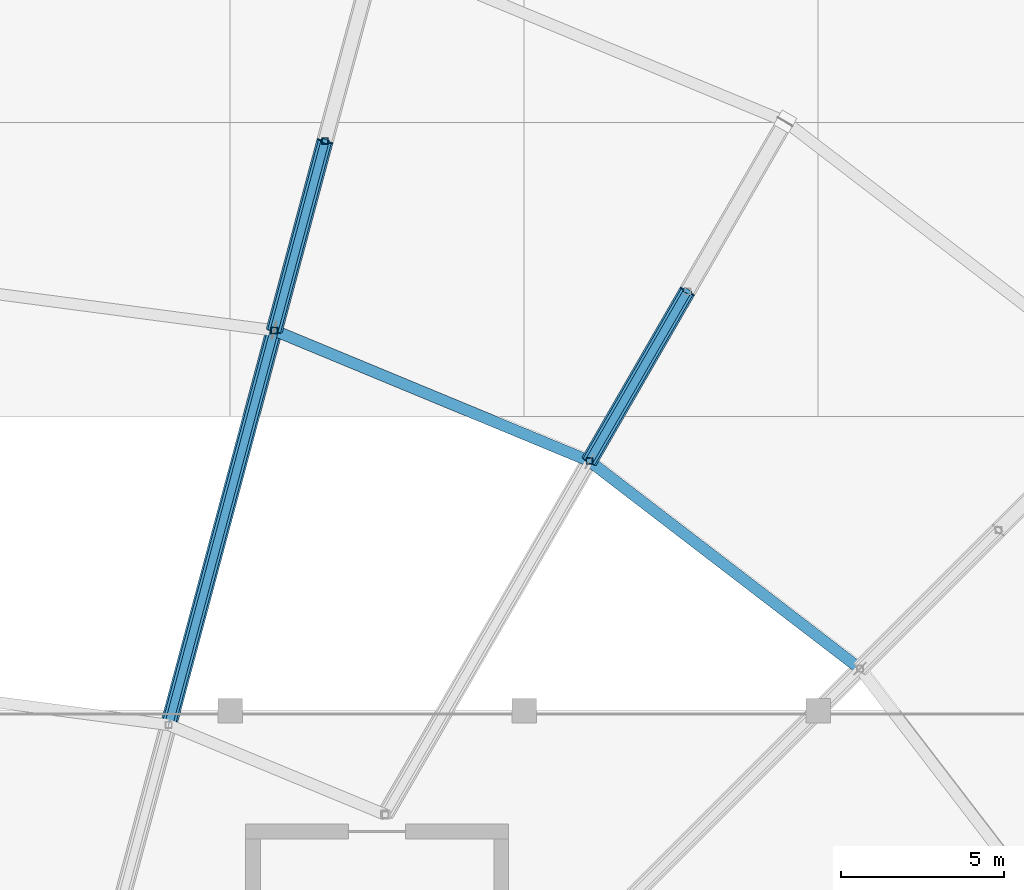
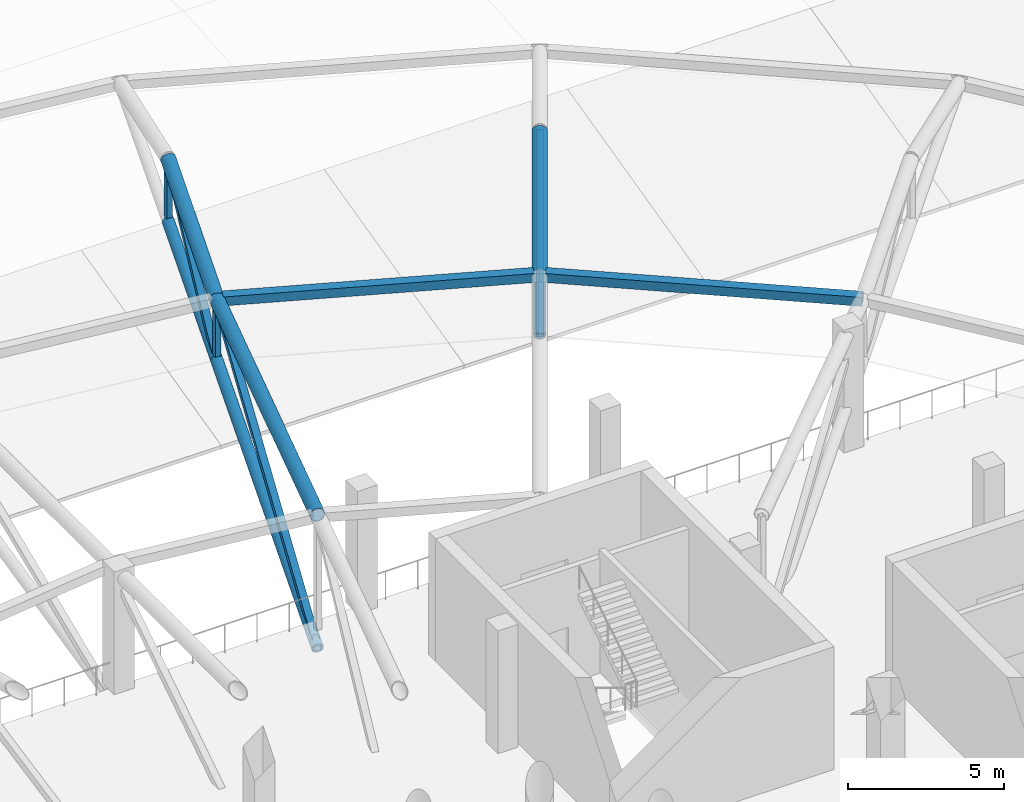
# One storey, part 80 of 167: 14 members.
"""IFC4 building model written with IfcOpenShell, lengths in metres."""

from ifc_helpers import new_model, si_unit, direction, frame, origin, origin_2d, place, context, subcontext, project, spatial, hollow_rectangle, hollow_circle, extrude, material, material_profile, profile_set, type_object, element, save


model = new_model("IFC4")

# Units and contexts
model_context = context("Model", 3, precision=1e-05, world=origin(), true_north=direction((0.0, 1.0)))
body_context = subcontext(model_context, "Body", "Model", "MODEL_VIEW")
ifc_project = project(units=[si_unit("LENGTHUNIT", "METRE"), si_unit("AREAUNIT", "SQUARE_METRE"), si_unit("VOLUMEUNIT", "CUBIC_METRE"), si_unit("PLANEANGLEUNIT", "RADIAN"), si_unit("MASSUNIT", "GRAM", prefix="KILO")], contexts=[model_context])

# Site, building, storey
site_placement = place(None, origin())
site = spatial("IfcSite", under=ifc_project, at=site_placement, CompositionType="ELEMENT")
building_placement = place(site_placement, origin())
building = spatial("IfcBuilding", under=site, at=building_placement, Name="Dornveld Trade and Exhibition Forum", CompositionType="ELEMENT")
storey_placement = place(building_placement, frame((0.0, 0.0, 16.800048828125)))
storey = spatial("IfcBuildingStorey", under=building, at=storey_placement, Name="L03", CompositionType="ELEMENT", Elevation=16.800048828125)

# Members
ifc_material_1 = material(Name="Steel S355J2", Category="steel")
ifc_material_profile_1 = material_profile(ifc_material_1, hollow_circle(Radius=0.203125, WallThickness=0.02001953125, at=origin_2d()), Name="CHS 406.4x20")
ifc_profile_set_1 = profile_set([ifc_material_profile_1], Name="Steel S355J2")
member_type_1 = type_object("IfcMemberType", Name="MEM-DISC-BC", PredefinedType="CHORD", material=ifc_profile_set_1)
member_1_placement = place(storey_placement, frame((137.0, 115.64111328125, 2.07568359375), z_axis=(0.487601282714, 0.844532722982, 0.221380823263), x_axis=(-0.866020924479, 0.500007758305, 0.0)))
element("IfcMember", 1, at=member_1_placement, inside=storey, type_object=member_type_1, Name="Roof disc radial R05 conical bottom chord 3", PredefinedType="CHORD", context=body_context, shape_type="SweptSolid", body=[
    extrude(hollow_circle(Radius=0.203125, WallThickness=0.02001953125, at=origin_2d()), origin(), (0.0, 0.0, 1.0), 6.152587890625),
])
member_2_placement = place(storey_placement, frame((124.117431640625, 107.56298828125, -0.76220703125), z_axis=(0.25240623166, 0.941952172258, 0.221398282283), x_axis=(-0.965923029888, 0.258829481187, 0.0)))
element("IfcMember", 2, at=member_2_placement, inside=storey, type_object=member_type_1, Name="Roof disc radial R06 conical bottom chord 2", PredefinedType="CHORD", context=body_context, shape_type="SweptSolid", body=[
    extrude(hollow_circle(Radius=0.203125, WallThickness=0.02001953125, at=origin_2d()), origin(), (0.0, 0.0, 1.0), 12.818115234375),
])
member_3_placement = place(storey_placement, frame((127.352783203125, 119.636962890625, 2.07568359375), z_axis=(0.252403210265, 0.941958781399, 0.221373606362), x_axis=(-0.965924258502, 0.258824896092, 0.0)))
element("IfcMember", 3, at=member_3_placement, inside=storey, type_object=member_type_1, Name="Roof disc radial R06 conical bottom chord 3", PredefinedType="CHORD", context=body_context, shape_type="SweptSolid", body=[
    extrude(hollow_circle(Radius=0.203125, WallThickness=0.02001953125, at=origin_2d()), origin(), (0.0, 0.0, 1.0), 6.15283203125),
])
ifc_material_2 = material(Name="Steel S355J2", Category="steel")
ifc_material_profile_2 = material_profile(ifc_material_2, hollow_rectangle(XDim=0.35009765625, YDim=0.35009765625, WallThickness=0.01611328125, at=origin_2d()), Name="SHS 350x350x16")
ifc_profile_set_2 = profile_set([ifc_material_profile_2], Name="Steel S355J2")
member_type_2 = type_object("IfcMemberType", Name="MEM-DISC-RING", PredefinedType="CHORD", material=ifc_profile_set_2)
member_4_placement = place(storey_placement, frame((145.2841796875, 109.2841796875, 4.449951171875), z_axis=(-0.793341363525, 0.608777037117, 0.0), x_axis=(-0.608777037117, -0.793341363525, 0.0)))
element("IfcMember", 4, at=member_4_placement, inside=storey, type_object=member_type_2, Name="Roof disc ring 3 chord 4", PredefinedType="CHORD", context=body_context, shape_type="SweptSolid", body=[
    extrude(hollow_rectangle(XDim=0.35009765625, YDim=0.35009765625, WallThickness=0.01611328125, at=origin_2d()), origin(), (0.0, 0.0, 1.0), 10.442138671875),
])
member_5_placement = place(storey_placement, frame((137.0, 115.64111328125, 4.449951171875), z_axis=(-0.923884896561, 0.382670482146, 0.0), x_axis=(-0.382670482146, -0.923884896561, 0.0)))
element("IfcMember", 5, at=member_5_placement, inside=storey, type_object=member_type_2, Name="Roof disc ring 3 chord 5", PredefinedType="CHORD", context=body_context, shape_type="SweptSolid", body=[
    extrude(hollow_rectangle(XDim=0.35009765625, YDim=0.35009765625, WallThickness=0.01611328125, at=origin_2d()), origin(), (0.0, 0.0, 1.0), 10.44189453125),
])
ifc_material_3 = material(Name="Steel S355J2", Category="steel")
ifc_material_profile_3 = material_profile(ifc_material_3, hollow_rectangle(XDim=0.199951171875, YDim=0.199951171875, WallThickness=0.010009765625, at=origin_2d()), Name="SHS 200x200x10")
ifc_profile_set_3 = profile_set([ifc_material_profile_3], Name="Steel S355J2")
member_type_3 = type_object("IfcMemberType", Name="MEM-DISC-STR", PredefinedType="STRUT", material=ifc_profile_set_3)
for number, where, z_axis, x_axis, name in (
    (6, (137.0, 115.64111328125, 2.07568359375), (0.0, 0.0, 1.0), (1.0, 0.0, 0.0), "Roof disc radial R05 strut 3"),
    (7, (127.352783203125, 119.636962890625, 2.07568359375), (0.0, 0.0, 1.0), (1.0, 0.0, 0.0), "Roof disc radial R06 strut 3"),
):
    element("IfcMember", number, at=place(storey_placement, frame(where, z_axis=z_axis, x_axis=x_axis)), inside=storey, type_object=member_type_3, Name=name, PredefinedType="STRUT", context=body_context, shape_type="SweptSolid", body=[
        extrude(hollow_rectangle(XDim=0.199951171875, YDim=0.199951171875, WallThickness=0.010009765625, at=origin_2d()), origin(), (0.0, 0.0, 1.0), 2.374267578125),
    ])
member_6_placement = place(storey_placement, frame((128.90576171875, 125.4326171875, 3.437744140625), z_axis=(0.0, 0.0, 1.0), x_axis=(1.0, 0.0, 0.0)))
element("IfcMember", 8, at=member_6_placement, inside=storey, type_object=member_type_3, Name="Roof disc radial R06 strut 4", PredefinedType="STRUT", context=body_context, shape_type="SweptSolid", body=[
    extrude(hollow_rectangle(XDim=0.199951171875, YDim=0.199951171875, WallThickness=0.010009765625, at=origin_2d()), origin(), (0.0, 0.0, 1.0), 2.437255859375),
])
ifc_material_4 = material(Name="Steel S355J2", Category="steel")
ifc_material_profile_4 = material_profile(ifc_material_4, hollow_circle(Radius=0.25390625, WallThickness=0.02490234375, at=origin_2d()), Name="CHS 508x25")
ifc_profile_set_4 = profile_set([ifc_material_profile_4], Name="Steel S355J2")
member_type_4 = type_object("IfcMemberType", Name="MEM-DISC-TC", PredefinedType="CHORD", material=ifc_profile_set_4)
member_7_placement = place(storey_placement, frame((137.0, 115.64111328125, 4.449951171875), z_axis=(0.486474530565, 0.842581171387, 0.231083319898), x_axis=(-0.866020924479, 0.500007758305, 0.0)))
element("IfcMember", 9, at=member_7_placement, inside=storey, type_object=member_type_4, Name="Roof disc radial R05 top chord 3", PredefinedType="CHORD", context=body_context, shape_type="SweptSolid", body=[
    extrude(hollow_circle(Radius=0.25390625, WallThickness=0.02490234375, at=origin_2d()), origin(), (0.0, 0.0, 1.0), 6.166748046875),
])
member_8_placement = place(storey_placement, frame((124.117431640625, 107.56298828125, 4.449951171875), z_axis=(0.258829481187, 0.965923029888, 0.0), x_axis=(-0.965923029888, 0.258829481187, 0.0)))
element("IfcMember", 10, at=member_8_placement, inside=storey, type_object=member_type_4, Name="Roof disc radial R06 top chord 2", PredefinedType="CHORD", context=body_context, shape_type="SweptSolid", body=[
    extrude(hollow_circle(Radius=0.25390625, WallThickness=0.02490234375, at=origin_2d()), origin(), (0.0, 0.0, 1.0), 12.5),
])
member_9_placement = place(storey_placement, frame((127.352783203125, 119.636962890625, 4.449951171875), z_axis=(0.251819993215, 0.939782238472, 0.231075821474), x_axis=(-0.965924258502, 0.258824896092, 0.0)))
element("IfcMember", 11, at=member_9_placement, inside=storey, type_object=member_type_4, Name="Roof disc radial R06 top chord 3", PredefinedType="CHORD", context=body_context, shape_type="SweptSolid", body=[
    extrude(hollow_circle(Radius=0.25390625, WallThickness=0.02490234375, at=origin_2d()), origin(), (0.0, 0.0, 1.0), 6.1669921875),
])
ifc_material_5 = material(Name="Steel S355J2", Category="steel")
ifc_material_profile_5 = material_profile(ifc_material_5, hollow_rectangle(XDim=0.25, YDim=0.25, WallThickness=0.012451171875, at=origin_2d()), Name="SHS 250x250x12.5")
ifc_profile_set_5 = profile_set([ifc_material_profile_5], Name="Steel S355J2")
member_type_5 = type_object("IfcMemberType", Name="MEM-DISC-WEB", PredefinedType="BRACE", material=ifc_profile_set_5)
member_10_placement = place(storey_placement, frame((137.0, 115.64111328125, 2.07568359375), z_axis=(0.422435970228, 0.731665425973, 0.534989304092), x_axis=(-0.866020924479, 0.500007758305, 0.0)))
element("IfcMember", 12, at=member_10_placement, inside=storey, type_object=member_type_5, Name="Roof disc radial R05 web 3", PredefinedType="BRACE", context=body_context, shape_type="SweptSolid", body=[
    extrude(hollow_rectangle(XDim=0.25, YDim=0.25, WallThickness=0.012451171875, at=origin_2d()), origin(), (0.0, 0.0, 1.0), 7.1015625),
])
member_11_placement = place(storey_placement, frame((124.117431640625, 107.56298828125, -0.76220703125), z_axis=(0.23889337529, 0.891523685101, 0.384857732347), x_axis=(-0.965923029888, 0.258829481187, 0.0)))
element("IfcMember", 13, at=member_11_placement, inside=storey, type_object=member_type_5, Name="Roof disc radial R06 web 2", PredefinedType="BRACE", context=body_context, shape_type="SweptSolid", body=[
    extrude(hollow_rectangle(XDim=0.25, YDim=0.25, WallThickness=0.012451171875, at=origin_2d()), origin(), (0.0, 0.0, 1.0), 13.54296875),
])
member_12_placement = place(storey_placement, frame((127.352783203125, 119.636962890625, 2.07568359375), z_axis=(0.218672644597, 0.816077646612, 0.534976213681), x_axis=(-0.965924258502, 0.258824896092, 0.0)))
element("IfcMember", 14, at=member_12_placement, inside=storey, type_object=member_type_5, Name="Roof disc radial R06 web 3", PredefinedType="BRACE", context=body_context, shape_type="SweptSolid", body=[
    extrude(hollow_rectangle(XDim=0.25, YDim=0.25, WallThickness=0.012451171875, at=origin_2d()), origin(), (0.0, 0.0, 1.0), 7.101806640625),
])

save(model, "model.ifc")
